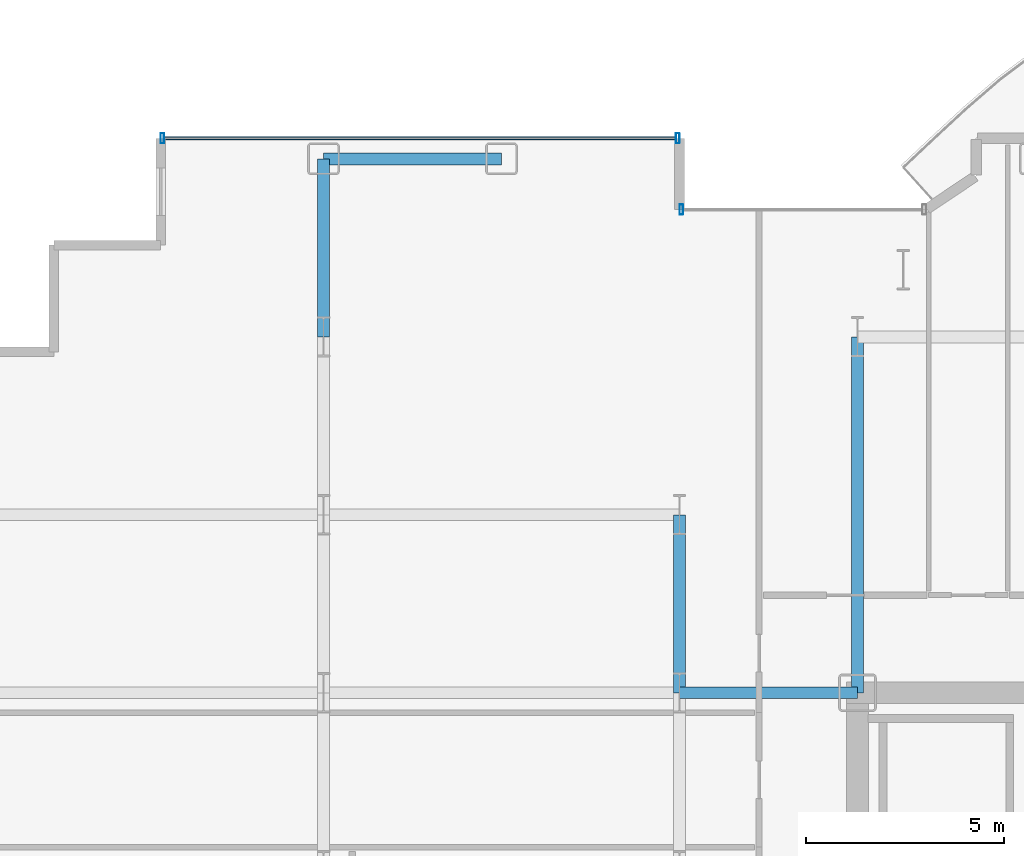
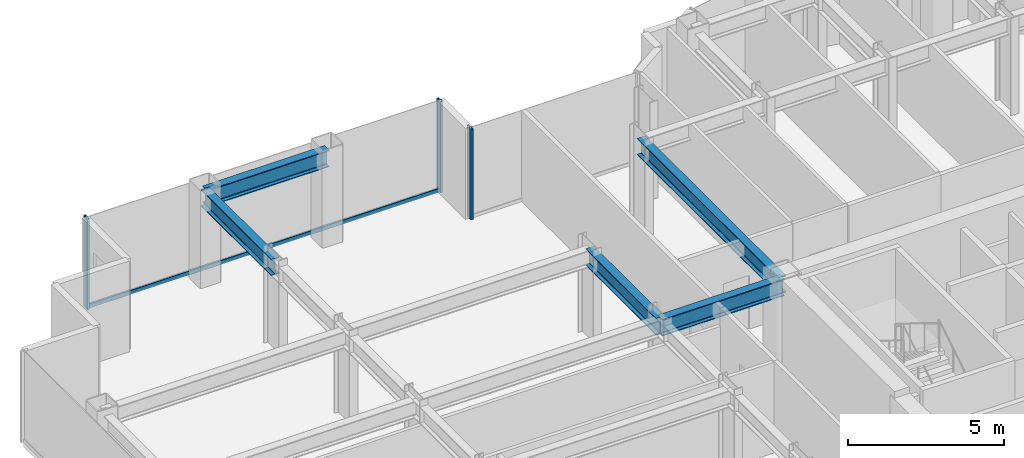
# One storey, part 12 of 29: 5 beams, 4 members, 2 elements without a shape of their own.
"""IFC4 building model written with IfcOpenShell, lengths in metres."""

from ifc_helpers import new_model, si_unit, direction, frame, origin, origin_2d, place, context, subcontext, project, spatial, hollow_rectangle, i_section, extrude, source, transform, mapped, material, layer, layer_set, material_profile, profile_set, type_object, element, aggregate, save


model = new_model("IFC4")

# Units and contexts
model_context = context("Model", 3, precision=1e-05, world=origin(), true_north=direction((0.0, 1.0)))
body_context = subcontext(model_context, "Body", "Model", "MODEL_VIEW")
ifc_project = project(units=[si_unit("LENGTHUNIT", "METRE"), si_unit("AREAUNIT", "SQUARE_METRE"), si_unit("VOLUMEUNIT", "CUBIC_METRE"), si_unit("PLANEANGLEUNIT", "RADIAN"), si_unit("MASSUNIT", "GRAM", prefix="KILO")], contexts=[model_context])

# Site, building, storey
site_placement = place(None, origin())
site = spatial("IfcSite", under=ifc_project, at=site_placement, CompositionType="ELEMENT")
building_placement = place(site_placement, origin())
building = spatial("IfcBuilding", under=site, at=building_placement, Name="Nefas-Gora Pilgrimage Tower", CompositionType="ELEMENT")
storey_placement = place(building_placement, frame((0.0, 0.0, 113.60009765625)))
storey = spatial("IfcBuildingStorey", under=building, at=storey_placement, Name="L27", CompositionType="ELEMENT", Elevation=113.60009765625)

# Beams
ifc_material_1 = material(Name="Steel S355", Category="steel")
ifc_material_profile_1 = material_profile(ifc_material_1, i_section(OverallWidth=0.300048828125, OverallDepth=0.64990234375, WebThickness=0.01611328125, FlangeThickness=0.031005859375, FilletRadius=0.027099609375, at=origin_2d()), Name="HEB 650")
ifc_profile_set_1 = profile_set([ifc_material_profile_1], Name="Steel S355")
beam_type_1 = type_object("IfcBeamType", Name="BM-SPN-HEB500", PredefinedType="SPANDREL", material=ifc_profile_set_1)
shared_shape_1 = source(origin(), body_context, "Body", "SweptSolid", [
    extrude(i_section(OverallWidth=0.300048828125, OverallDepth=0.64990234375, WebThickness=0.01611328125, FlangeThickness=0.031005859375, FilletRadius=0.027099609375, at=origin_2d()), origin(), (0.0, 0.0, 1.0), 4.5),
])
beam_1_placement = place(storey_placement, frame((-24.75, 22.5, 3.224853515625), z_axis=(1.0, 0.0, 0.0), x_axis=(0.0, 1.0, 0.0)))
element("IfcBeam", 1, at=beam_1_placement, inside=storey, type_object=beam_type_1, Name="L27 SP-02 beam", PredefinedType="SPANDREL", context=body_context, shape_type="MappedRepresentation", body=[
    mapped(shared_shape_1, transform((0.0, 0.0, 0.0), x_axis=(1.0, 0.0, 0.0), y_axis=(0.0, 1.0, 0.0), z_axis=(0.0, 0.0, 1.0), scale=1.0)),
])
ifc_material_profile_2 = material_profile(ifc_material_1, i_section(OverallWidth=0.300048828125, OverallDepth=0.64990234375, WebThickness=0.01611328125, FlangeThickness=0.031005859375, FilletRadius=0.027099609375, at=origin_2d()), Name="HEB 650")
ifc_profile_set_2 = profile_set([ifc_material_profile_2], Name="Steel S355")
beam_type_2 = type_object("IfcBeamType", Name="BM-GIR-HEB650", PredefinedType="BEAM", material=ifc_profile_set_2)
shared_shape_2 = source(origin(), body_context, "Body", "SweptSolid", [
    extrude(i_section(OverallWidth=0.300048828125, OverallDepth=0.64990234375, WebThickness=0.01611328125, FlangeThickness=0.031005859375, FilletRadius=0.027099609375, at=origin_2d()), origin(), (0.0, 0.0, 1.0), 9.0),
])
beam_2_placement = place(storey_placement, frame((-11.25, 9.0, 3.224853515625), z_axis=(0.0, 1.0, 0.0), x_axis=(-1.0, 0.0, 0.0)))
element("IfcBeam", 2, at=beam_2_placement, inside=storey, type_object=beam_type_2, Name="L27 G-03 beam", PredefinedType="BEAM", context=body_context, shape_type="MappedRepresentation", body=[
    mapped(shared_shape_2, transform((0.0, 0.0, 0.0), x_axis=(1.0, 0.0, 0.0), y_axis=(0.0, 1.0, 0.0), z_axis=(0.0, 0.0, 1.0), scale=1.0)),
])
shared_shape_3 = source(origin(), body_context, "Body", "SweptSolid", [
    extrude(i_section(OverallWidth=0.300048828125, OverallDepth=0.64990234375, WebThickness=0.01611328125, FlangeThickness=0.031005859375, FilletRadius=0.027099609375, at=origin_2d()), origin(), (0.0, 0.0, 1.0), 4.5),
])
for number, where, z_axis, x_axis, name in (
    (3, (-24.75, 18.0, 3.224853515625), (0.0, 1.0, 0.0), (-1.0, 0.0, 0.0), "L27 G-03 beam"),
    (4, (-15.75, 9.0, 3.224853515625), (0.0, 1.0, 0.0), (-1.0, 0.0, 0.0), "L27 G-03 beam"),
    (5, (-15.75, 9.0, 3.224853515625), (1.0, 0.0, 0.0), (0.0, 1.0, 0.0), "L27 G-03 beam"),
):
    element("IfcBeam", number, at=place(storey_placement, frame(where, z_axis=z_axis, x_axis=x_axis)), inside=storey, type_object=beam_type_2, Name=name, PredefinedType="BEAM", context=body_context, shape_type="MappedRepresentation", body=[
        mapped(shared_shape_3, transform((0.0, 0.0, 0.0), x_axis=(1.0, 0.0, 0.0), y_axis=(0.0, 1.0, 0.0), z_axis=(0.0, 0.0, 1.0), scale=1.0)),
    ])

# Curtain wall, member
ifc_material_2 = material(Name="Dark ceramic-fritted solar-control aluminium-glass curtain wall", Category="aluminium")
ifc_layer_1 = layer(ifc_material_2, 0.219970703125)
ifc_layer_set_1 = layer_set([ifc_layer_1], Name="Dark ceramic-fritted solar-control aluminium-glass curtain wall")
curtain_wall_type_1 = type_object("IfcCurtainWallType", Name="CW-SYS-2", PredefinedType="NOTDEFINED", material=ifc_layer_set_1)
curtain_wall_1_placement = place(storey_placement, origin())
curtain_wall_1 = element("IfcCurtainWall", 6, at=curtain_wall_1_placement, inside=storey, type_object=curtain_wall_type_1, Name="L27 Unitised Curtain Wall CW2", PredefinedType="NOTDEFINED")
ifc_material_3 = material(Name="Anodised architectural aluminium", Category="aluminium")
ifc_material_profile_3 = material_profile(ifc_material_3, hollow_rectangle(XDim=0.080078125, YDim=0.159912109375, WallThickness=0.00439453125, InnerFilletRadius=0.00439453125, OuterFilletRadius=0.009033203125, at=origin_2d()), Name="ALU TRANSOM 80x160")
ifc_profile_set_3 = profile_set([ifc_material_profile_3], Name="Anodised architectural aluminium")
member_type_1 = type_object("IfcMemberType", Name="CWM-TRN-2", PredefinedType="USERDEFINED", material=ifc_profile_set_3)
shared_shape_4 = source(origin(), body_context, "Body", "SweptSolid", [
    extrude(hollow_rectangle(XDim=0.080078125, YDim=0.159912109375, WallThickness=0.00439453125, InnerFilletRadius=0.00439453125, OuterFilletRadius=0.009033203125, at=origin_2d()), origin(), (0.0, 0.0, 1.0), 12.93994140625),
])
member_1_placement = place(storey_placement, frame((-15.840087890625, 23.02001953125, 0.0498046875), z_axis=(-1.0, 0.0, 0.0), x_axis=(0.0, -1.0, 0.0)))
member_1 = element("IfcMember", 7, at=member_1_placement, type_object=member_type_1, Name="CW2 Spandrel Transom", ObjectType="TRANSOM", PredefinedType="USERDEFINED", context=body_context, shape_type="MappedRepresentation", body=[
    mapped(shared_shape_4, transform((0.0, 0.0, 0.0), x_axis=(1.0, 0.0, 0.0), y_axis=(0.0, 1.0, 0.0), z_axis=(0.0, 0.0, 1.0), scale=1.0)),
])

ifc_layer_2 = layer(ifc_material_2, 0.219970703125)
ifc_layer_set_2 = layer_set([ifc_layer_2], Name="Dark ceramic-fritted solar-control aluminium-glass curtain wall")
curtain_wall_type_2 = type_object("IfcCurtainWallType", Name="CW-SYS-5", PredefinedType="NOTDEFINED", material=ifc_layer_set_2)
curtain_wall_2_placement = place(storey_placement, origin())
curtain_wall_2 = element("IfcCurtainWall", 8, at=curtain_wall_2_placement, inside=storey, type_object=curtain_wall_type_2, Name="L27 Unitised Curtain Wall CW5", PredefinedType="NOTDEFINED")
ifc_material_profile_4 = material_profile(ifc_material_3, hollow_rectangle(XDim=0.090087890625, YDim=0.260009765625, WallThickness=0.006103515625, InnerFilletRadius=0.006103515625, OuterFilletRadius=0.011962890625, at=origin_2d()), Name="ALU MULLION 90x260")
ifc_profile_set_4 = profile_set([ifc_material_profile_4], Name="Anodised architectural aluminium")
member_type_2 = type_object("IfcMemberType", Name="CWM-MUL-5", PredefinedType="MULLION", material=ifc_profile_set_4)
shared_shape_5 = source(origin(), body_context, "Body", "SweptSolid", [
    extrude(hollow_rectangle(XDim=0.090087890625, YDim=0.260009765625, WallThickness=0.006103515625, InnerFilletRadius=0.006103515625, OuterFilletRadius=0.011962890625, at=origin_2d()), origin(), (0.0, 0.0, 1.0), 3.5498046875),
])
member_2_placement = place(storey_placement, frame((-15.705078125, 21.219970703125, 0.0), z_axis=(0.0, 0.0, 1.0), x_axis=(-1.0, 0.0, 0.0)))
member_2 = element("IfcMember", 9, at=member_2_placement, type_object=member_type_2, Name="CW5 Mullion 2", PredefinedType="MULLION", context=body_context, shape_type="MappedRepresentation", body=[
    mapped(shared_shape_5, transform((0.0, 0.0, 0.0), x_axis=(1.0, 0.0, 0.0), y_axis=(0.0, 1.0, 0.0), z_axis=(0.0, 0.0, 1.0), scale=1.0)),
])
aggregate(curtain_wall_2, [member_2])

# Member
ifc_material_profile_5 = material_profile(ifc_material_3, hollow_rectangle(XDim=0.090087890625, YDim=0.260009765625, WallThickness=0.006103515625, InnerFilletRadius=0.006103515625, OuterFilletRadius=0.011962890625, at=origin_2d()), Name="ALU MULLION 90x260")
ifc_profile_set_5 = profile_set([ifc_material_profile_5], Name="Anodised architectural aluminium")
member_type_3 = type_object("IfcMemberType", Name="CWM-MUL-2", PredefinedType="MULLION", material=ifc_profile_set_5)
shared_shape_6 = source(origin(), body_context, "Body", "SweptSolid", [
    extrude(hollow_rectangle(XDim=0.090087890625, YDim=0.260009765625, WallThickness=0.006103515625, InnerFilletRadius=0.006103515625, OuterFilletRadius=0.011962890625, at=origin_2d()), origin(), (0.0, 0.0, 1.0), 3.5498046875),
])
member_3_placement = place(storey_placement, frame((-15.794921875, 23.02001953125, 0.0), z_axis=(0.0, 0.0, 1.0), x_axis=(-1.0, 0.0, 0.0)))
member_3 = element("IfcMember", 10, at=member_3_placement, type_object=member_type_3, Name="CW2 Mullion 1", PredefinedType="MULLION", context=body_context, shape_type="MappedRepresentation", body=[
    mapped(shared_shape_6, transform((0.0, 0.0, 0.0), x_axis=(1.0, 0.0, 0.0), y_axis=(0.0, 1.0, 0.0), z_axis=(0.0, 0.0, 1.0), scale=1.0)),
])

member_4_placement = place(storey_placement, frame((-28.824951171875, 23.02001953125, 0.0), z_axis=(0.0, 0.0, 1.0), x_axis=(-1.0, 0.0, 0.0)))
member_4 = element("IfcMember", 11, at=member_4_placement, type_object=member_type_3, Name="CW2 Mullion 2", PredefinedType="MULLION", context=body_context, shape_type="MappedRepresentation", body=[
    mapped(shared_shape_6, transform((0.0, 0.0, 0.0), x_axis=(1.0, 0.0, 0.0), y_axis=(0.0, 1.0, 0.0), z_axis=(0.0, 0.0, 1.0), scale=1.0)),
])

aggregate(curtain_wall_1, [member_3, member_4, member_1])

save(model, "model.ifc")
